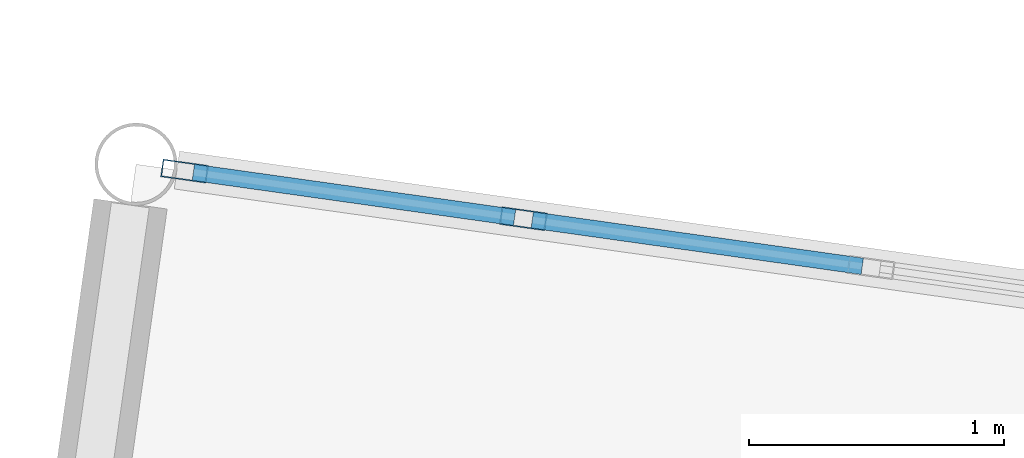
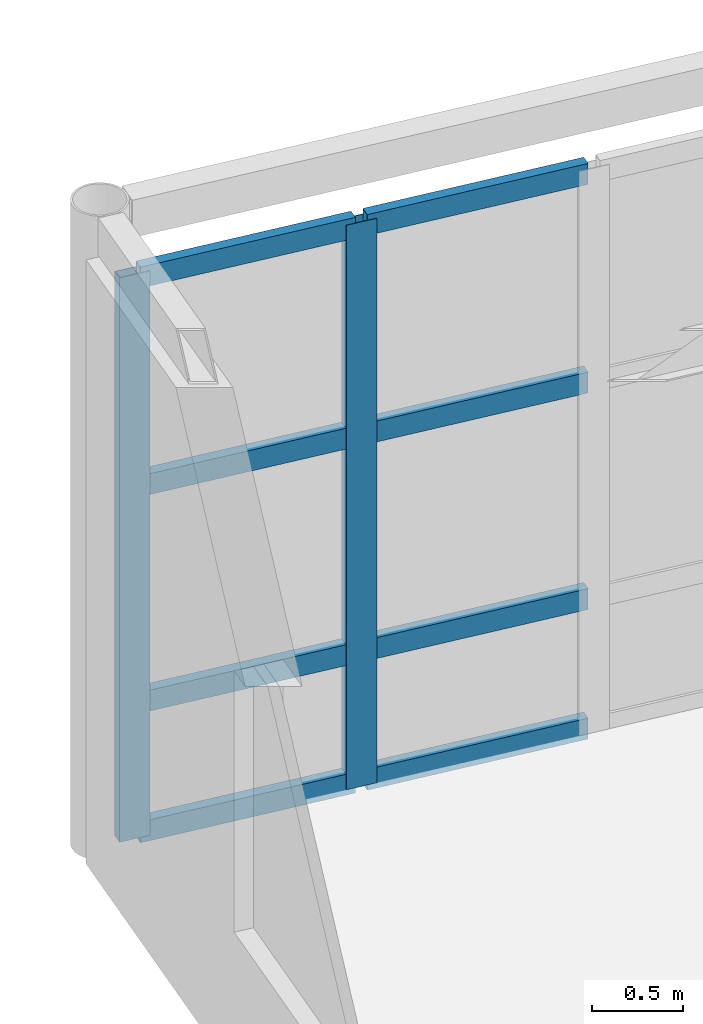
# One storey, part 37 of 80: 10 members, 1 element without a shape of its own.
"""IFC4 building model written with IfcOpenShell, lengths in metres."""

import ifcopenshell
import ifcopenshell.guid

model = None  # the IFC model being written
_history = None  # IfcOwnerHistory: only IFC2X3 demands one
_inside = {}  # id of a spatial element -> (the spatial element, [elements in it])
_under = {}  # id of a project, library or spatial element -> (it, [spatial elements below it])
_declared = {}  # id of a project -> (the project, [libraries it declares])
_typed = {}  # id of a type object -> (the type object, [elements of that type])
_made_of = {}  # id of a material, layer set ... -> (it, [elements and type objects made of it])


def new_model(schema):
    """Start an empty IFC model of exactly this schema.

    Asked for "IFC4X3", IfcOpenShell would pick the latest addendum, in which some entities
    have other attributes; the version numbers below select the first issue.
    IFC2X3 requires an IfcOwnerHistory on every rooted entity: one is made here for all.
    """
    global model, _history
    if schema == "IFC4X3":
        model = ifcopenshell.file(schema_version=(4, 3, 0, 0))
    else:
        model = ifcopenshell.file(schema=schema)
    _inside.clear()
    _under.clear()
    _declared.clear()
    _typed.clear()
    _made_of.clear()
    _history = None
    if model.schema == "IFC2X3":
        org = make("IfcOrganization", Name="unknown")
        user = make(
            "IfcPersonAndOrganization",
            ThePerson=make("IfcPerson", FamilyName="unknown"),
            TheOrganization=org,
        )
        app = make(
            "IfcApplication",
            ApplicationDeveloper=org,
            Version="unknown",
            ApplicationFullName="unknown",
            ApplicationIdentifier="unknown",
        )
        _history = make(
            "IfcOwnerHistory",
            OwningUser=user,
            OwningApplication=app,
            ChangeAction="ADDED",
            CreationDate=0,
        )
    return model


def make(cls, **values):
    """One entity of the class cls with the attributes given. An attribute that is None is left unset."""
    return model.create_entity(
        cls, **{name: value for name, value in values.items() if value is not None}
    )


def rooted(cls, **values):
    """An entity with a GlobalId (a new one), such as an element, a storey or a relation."""
    return make(cls, GlobalId=ifcopenshell.guid.new(), OwnerHistory=_history, **values)


def si_unit(unit_type, name, prefix=None):
    """IfcSIUnit, for example si_unit("LENGTHUNIT", "METRE", prefix="MILLI")."""
    return make("IfcSIUnit", UnitType=unit_type, Prefix=prefix, Name=name)


def assignment(units):
    """IfcUnitAssignment: the units of a project."""
    return None if units is None else make("IfcUnitAssignment", Units=units)


def point(xyz):
    """IfcCartesianPoint."""
    return None if xyz is None else make("IfcCartesianPoint", Coordinates=xyz)


def direction(xyz):
    """IfcDirection."""
    return None if xyz is None else make("IfcDirection", DirectionRatios=xyz)


def frame(location, z_axis=None, x_axis=None):
    """IfcAxis2Placement3D, a coordinate frame: its origin and axes. An axis left out is left unset."""
    return make(
        "IfcAxis2Placement3D",
        Location=point(location),
        Axis=direction(z_axis),
        RefDirection=direction(x_axis),
    )


def frame_2d(location, x_axis=None):
    """IfcAxis2Placement2D, a coordinate frame in the plane: its origin and x axis."""
    return make(
        "IfcAxis2Placement2D", Location=point(location), RefDirection=direction(x_axis)
    )


def origin():
    """The frame at (0, 0, 0) with its axes left unset."""
    return frame((0.0, 0.0, 0.0))


def origin_2d():
    """The frame at (0, 0) in the plane with its x axis left unset."""
    return frame_2d((0.0, 0.0))


def place(relative_to, where):
    """IfcLocalPlacement: puts the frame where relative to a parent placement (None: the world)."""
    return make(
        "IfcLocalPlacement", PlacementRelTo=relative_to, RelativePlacement=where
    )


def context(
    kind, dimensions, precision=None, world=None, true_north=None, identifier=None
):
    """IfcGeometricRepresentationContext, for example the 3D "Model" context."""
    return make(
        "IfcGeometricRepresentationContext",
        ContextIdentifier=identifier,
        ContextType=kind,
        CoordinateSpaceDimension=dimensions,
        Precision=precision,
        WorldCoordinateSystem=world,
        TrueNorth=true_north,
    )


def subcontext(parent, identifier, kind, view, scale=None):
    """IfcGeometricRepresentationSubContext, for example "Body" below "Model"."""
    return make(
        "IfcGeometricRepresentationSubContext",
        ContextIdentifier=identifier,
        ContextType=kind,
        ParentContext=parent,
        TargetScale=scale,
        TargetView=view,
    )


def project(units=None, contexts=None):
    """IfcProject with its units and contexts."""
    return rooted(
        "IfcProject",
        Name="project",
        RepresentationContexts=contexts,
        UnitsInContext=assignment(units),
    )


def spatial(cls, under=None, at=None, **own):
    """A site, building, storey or space (cls), placed at a placement, below another one or the project."""
    s = rooted(cls, ObjectPlacement=at, **own)
    if under is not None:
        _under.setdefault(under.id(), (under, []))[1].append(s)
    return s


def profile(cls, at=None, kind="AREA", **sizes):
    """A parametric profile (cls). Its sizes go by their IFC names, for example OverallWidth=200.0."""
    return make(cls, ProfileType=kind, Position=at, **sizes)


def hollow_rectangle(**sizes):
    """IfcRectangleHollowProfileDef."""
    return profile("IfcRectangleHollowProfileDef", **sizes)


def extrude(swept, where, along, depth):
    """IfcExtrudedAreaSolid: the profile swept, set in the frame where, extruded along a direction by depth."""
    return make(
        "IfcExtrudedAreaSolid",
        SweptArea=swept,
        Position=where,
        ExtrudedDirection=direction(along),
        Depth=depth,
    )


def shape(context_of_items, identifier, shape_type, items):
    """IfcShapeRepresentation: the items that make up one representation, for example the "Body"."""
    return make(
        "IfcShapeRepresentation",
        ContextOfItems=context_of_items,
        RepresentationIdentifier=identifier,
        RepresentationType=shape_type,
        Items=items,
    )


def material(Name=None, Category=None):
    """IfcMaterial."""
    return make("IfcMaterial", Name=Name, Category=Category)


def layer(
    of_material, thickness, ventilated=None, Name=None, Category=None, Priority=None
):
    """IfcMaterialLayer: one layer of a wall or slab, of a material (None: an air gap)."""
    return make(
        "IfcMaterialLayer",
        Material=of_material,
        LayerThickness=thickness,
        IsVentilated=ventilated,
        Name=Name,
        Category=Category,
        Priority=Priority,
    )


def layer_set(layers, Name=None):
    """IfcMaterialLayerSet."""
    return make("IfcMaterialLayerSet", MaterialLayers=layers, LayerSetName=Name)


def material_profile(
    of_material, cross_section, Name=None, Category=None, Priority=None
):
    """IfcMaterialProfile: a cross section and its material."""
    return make(
        "IfcMaterialProfile",
        Name=Name,
        Material=of_material,
        Profile=cross_section,
        Priority=Priority,
        Category=Category,
    )


def profile_set(profiles, Name=None, composite=None):
    """IfcMaterialProfileSet."""
    return make(
        "IfcMaterialProfileSet",
        Name=Name,
        MaterialProfiles=profiles,
        CompositeProfile=composite,
    )


def made_of(thing, what):
    """Note that an element or type object is made of a material, layer set ...; save() writes the relation."""
    if what is not None:
        _made_of.setdefault(what.id(), (what, []))[1].append(thing)
    return thing


def type_object(cls, material=None, **own):
    """A type object (cls), such as IfcWallType, which elements share."""
    return made_of(rooted(cls, **own), material)


def element(
    cls,
    number,
    at=None,
    inside=None,
    cuts=None,
    type_object=None,
    material=None,
    context=None,
    identifier="Body",
    shape_type=None,
    held_by="IfcProductDefinitionShape",
    body=None,
    shapes=None,
    **own,
):
    """One element of the class cls, such as IfcWall. Its Tag is "e" and its number.

    at: its placement. inside: the storey or other place that contains it. cuts: it is an
    opening in that element (IfcRelVoidsElement). A single representation is given by context,
    identifier, shape_type and body (its items); several are given by shapes. held_by: the class
    of the entity that holds the representations. save() writes the other relations.
    """
    e = rooted(cls, Tag="e%d" % number, ObjectPlacement=at, **own)
    if body is not None:
        shapes = [shape(context, identifier, shape_type, body)]
    if shapes is not None:
        e.Representation = make(held_by, Representations=shapes)
    if inside is not None:
        _inside.setdefault(inside.id(), (inside, []))[1].append(e)
    if cuts is not None:
        rooted(
            "IfcRelVoidsElement", RelatingBuildingElement=cuts, RelatedOpeningElement=e
        )
    if type_object is not None:
        _typed.setdefault(type_object.id(), (type_object, []))[1].append(e)
    return made_of(e, material)


def aggregate(whole, parts):
    """IfcRelAggregates: a whole, such as a stair, and the parts it consists of."""
    return rooted("IfcRelAggregates", RelatingObject=whole, RelatedObjects=parts)


def save(model, path):
    """Write the relations noted so far, then the file.

    IfcRelAggregates (storeys below a building ...), IfcRelContainedInSpatialStructure (elements
    in a storey), IfcRelDefinesByType, IfcRelAssociatesMaterial and IfcRelDeclares: one each for
    every whole, place, type object, material and project.
    """
    for whole, parts in _under.values():
        aggregate(whole, parts)
    for where, things in _inside.values():
        rooted(
            "IfcRelContainedInSpatialStructure",
            RelatedElements=things,
            RelatingStructure=where,
        )
    for kind, things in _typed.values():
        rooted("IfcRelDefinesByType", RelatedObjects=things, RelatingType=kind)
    for what, things in _made_of.values():
        rooted("IfcRelAssociatesMaterial", RelatedObjects=things, RelatingMaterial=what)
    for by, libraries in _declared.values():
        rooted("IfcRelDeclares", RelatingContext=by, RelatedDefinitions=libraries)
    model.write(path)


model = new_model("IFC4")

# Units and contexts
model_context = context("Model", 3, precision=1e-05, world=origin(), true_north=direction((0.0, 1.0)))
body_context = subcontext(model_context, "Body", "Model", "MODEL_VIEW")
ifc_project = project(units=[si_unit("LENGTHUNIT", "METRE"), si_unit("AREAUNIT", "SQUARE_METRE"), si_unit("VOLUMEUNIT", "CUBIC_METRE"), si_unit("PLANEANGLEUNIT", "RADIAN"), si_unit("MASSUNIT", "GRAM", prefix="KILO")], contexts=[model_context])

# Site, building, storey
site_placement = place(None, origin())
site = spatial("IfcSite", under=ifc_project, at=site_placement, CompositionType="ELEMENT")
building_placement = place(site_placement, origin())
building = spatial("IfcBuilding", under=site, at=building_placement, Name="Kharisveld Research Institute", CompositionType="ELEMENT")
storey_placement = place(building_placement, frame((0.0, 0.0, 5.10009765625)))
storey = spatial("IfcBuildingStorey", under=building, at=storey_placement, Name="L01", CompositionType="ELEMENT", Elevation=5.10009765625)

# Curtain wall, members
ifc_material_1 = material(Name="Thermally Broken Aluminium Curtain Wall", Category="aluminium")
ifc_layer = layer(ifc_material_1, 0.159912109375)
ifc_layer_set = layer_set([ifc_layer], Name="CW_SYS_02")
curtain_wall_type = type_object("IfcCurtainWallType", Name="CW_SYS_02", PredefinedType="NOTDEFINED", material=ifc_layer_set)
curtain_wall_placement = place(storey_placement, origin())
curtain_wall = element("IfcCurtainWall", 1, at=curtain_wall_placement, inside=storey, type_object=curtain_wall_type, Name="CW:V4:L01:N0", PredefinedType="NOTDEFINED")
ifc_material_2 = material(Name="Anodised Aluminium AW-6063-T6", Category="aluminium")
ifc_material_profile_1 = material_profile(ifc_material_2, hollow_rectangle(XDim=0.070068359375, YDim=0.179931640625, WallThickness=0.00439453125, at=origin_2d()))
ifc_profile_set_1 = profile_set([ifc_material_profile_1], Name="Anodised Aluminium AW-6063-T6")
member_type_1 = type_object("IfcMemberType", Name="CW_MUL_180", PredefinedType="MULLION", material=ifc_profile_set_1)
member_1_placement = place(storey_placement, frame((78.1962890625, 38.863037109375, 0.0), z_axis=(0.0, 0.0, 1.0), x_axis=(0.139173103207, 0.990268068426, 0.0)))
member_1 = element("IfcMember", 2, at=member_1_placement, type_object=member_type_1, Name="CW-02 mullion 1", PredefinedType="MULLION", context=body_context, shape_type="SweptSolid", body=[
    extrude(hollow_rectangle(XDim=0.070068359375, YDim=0.179931640625, WallThickness=0.00439453125, at=origin_2d()), origin(), (0.0, 0.0, 1.0), 3.77978515625),
])
member_2_placement = place(storey_placement, frame((79.525390625, 38.67626953125, 0.0), z_axis=(0.0, 0.0, 1.0), x_axis=(0.139173103207, 0.990268068426, 0.0)))
member_2 = element("IfcMember", 3, at=member_2_placement, type_object=member_type_1, Name="CW-02 mullion 2", PredefinedType="MULLION", context=body_context, shape_type="SweptSolid", body=[
    extrude(hollow_rectangle(XDim=0.070068359375, YDim=0.179931640625, WallThickness=0.00439453125, at=origin_2d()), origin(), (0.0, 0.0, 1.0), 3.77978515625),
])
ifc_material_3 = material(Name="Anodised Aluminium AW-6063-T6", Category="aluminium")
ifc_material_profile_2 = material_profile(ifc_material_3, hollow_rectangle(XDim=0.06494140625, YDim=0.139892578125, WallThickness=0.00390625, at=origin_2d()))
ifc_profile_set_2 = profile_set([ifc_material_profile_2], Name="Anodised Aluminium AW-6063-T6")
member_type_2 = type_object("IfcMemberType", Name="CW_TRN_140", PredefinedType="USERDEFINED", material=ifc_profile_set_2)
member_3_placement = place(storey_placement, frame((78.23095703125, 38.858154296875, 0.032470703125), z_axis=(0.99027311215, -0.139137210525, 0.0), x_axis=(0.139137210525, 0.99027311215, 0.0)))
member_3 = element("IfcMember", 4, at=member_3_placement, type_object=member_type_2, Name="CW-02 transom 1.1", ObjectType="TRANSOM", PredefinedType="USERDEFINED", context=body_context, shape_type="SweptSolid", body=[
    extrude(hollow_rectangle(XDim=0.06494140625, YDim=0.139892578125, WallThickness=0.00390625, at=origin_2d()), origin(), (0.0, 0.0, 1.0), 1.272216796875),
])
member_4_placement = place(storey_placement, frame((78.23095703125, 38.858154296875, 0.89990234375), z_axis=(0.99027311215, -0.139137210525, 0.0), x_axis=(0.139137210525, 0.99027311215, 0.0)))
member_4 = element("IfcMember", 5, at=member_4_placement, type_object=member_type_2, Name="CW-02 transom 1.2", ObjectType="TRANSOM", PredefinedType="USERDEFINED", context=body_context, shape_type="SweptSolid", body=[
    extrude(hollow_rectangle(XDim=0.06494140625, YDim=0.139892578125, WallThickness=0.00390625, at=origin_2d()), origin(), (0.0, 0.0, 1.0), 1.272216796875),
])
member_5_placement = place(storey_placement, frame((78.23095703125, 38.858154296875, 2.349853515625), z_axis=(0.99027311215, -0.139137210525, 0.0), x_axis=(0.139137210525, 0.99027311215, 0.0)))
member_5 = element("IfcMember", 6, at=member_5_placement, type_object=member_type_2, Name="CW-02 transom 1.3", ObjectType="TRANSOM", PredefinedType="USERDEFINED", context=body_context, shape_type="SweptSolid", body=[
    extrude(hollow_rectangle(XDim=0.06494140625, YDim=0.139892578125, WallThickness=0.00390625, at=origin_2d()), origin(), (0.0, 0.0, 1.0), 1.272216796875),
])
member_6_placement = place(storey_placement, frame((78.23095703125, 38.858154296875, 3.747314453125), z_axis=(0.99027311215, -0.139137210525, 0.0), x_axis=(0.139137210525, 0.99027311215, 0.0)))
member_6 = element("IfcMember", 7, at=member_6_placement, type_object=member_type_2, Name="CW-02 transom 1.4", ObjectType="TRANSOM", PredefinedType="USERDEFINED", context=body_context, shape_type="SweptSolid", body=[
    extrude(hollow_rectangle(XDim=0.06494140625, YDim=0.139892578125, WallThickness=0.00390625, at=origin_2d()), origin(), (0.0, 0.0, 1.0), 1.272216796875),
])
member_7_placement = place(storey_placement, frame((79.56005859375, 38.67138671875, 0.032470703125), z_axis=(0.990271865292, -0.139146084429, 0.0), x_axis=(0.139146084429, 0.990271865292, 0.0)))
member_7 = element("IfcMember", 8, at=member_7_placement, type_object=member_type_2, Name="CW-02 transom 2.1", ObjectType="TRANSOM", PredefinedType="USERDEFINED", context=body_context, shape_type="SweptSolid", body=[
    extrude(hollow_rectangle(XDim=0.06494140625, YDim=0.139892578125, WallThickness=0.00390625, at=origin_2d()), origin(), (0.0, 0.0, 1.0), 1.30712890625),
])
member_8_placement = place(storey_placement, frame((79.56005859375, 38.67138671875, 0.89990234375), z_axis=(0.990271865292, -0.139146084429, 0.0), x_axis=(0.139146084429, 0.990271865292, 0.0)))
member_8 = element("IfcMember", 9, at=member_8_placement, type_object=member_type_2, Name="CW-02 transom 2.2", ObjectType="TRANSOM", PredefinedType="USERDEFINED", context=body_context, shape_type="SweptSolid", body=[
    extrude(hollow_rectangle(XDim=0.06494140625, YDim=0.139892578125, WallThickness=0.00390625, at=origin_2d()), origin(), (0.0, 0.0, 1.0), 1.30712890625),
])
member_9_placement = place(storey_placement, frame((79.56005859375, 38.67138671875, 2.349853515625), z_axis=(0.990271865292, -0.139146084429, 0.0), x_axis=(0.139146084429, 0.990271865292, 0.0)))
member_9 = element("IfcMember", 10, at=member_9_placement, type_object=member_type_2, Name="CW-02 transom 2.3", ObjectType="TRANSOM", PredefinedType="USERDEFINED", context=body_context, shape_type="SweptSolid", body=[
    extrude(hollow_rectangle(XDim=0.06494140625, YDim=0.139892578125, WallThickness=0.00390625, at=origin_2d()), origin(), (0.0, 0.0, 1.0), 1.30712890625),
])
member_10_placement = place(storey_placement, frame((79.56005859375, 38.67138671875, 3.747314453125), z_axis=(0.990271865292, -0.139146084429, 0.0), x_axis=(0.139146084429, 0.990271865292, 0.0)))
member_10 = element("IfcMember", 11, at=member_10_placement, type_object=member_type_2, Name="CW-02 transom 2.4", ObjectType="TRANSOM", PredefinedType="USERDEFINED", context=body_context, shape_type="SweptSolid", body=[
    extrude(hollow_rectangle(XDim=0.06494140625, YDim=0.139892578125, WallThickness=0.00390625, at=origin_2d()), origin(), (0.0, 0.0, 1.0), 1.30712890625),
])
aggregate(curtain_wall, [member_1, member_2, member_3, member_4, member_5, member_6, member_7, member_8, member_9, member_10])

save(model, "model.ifc")
